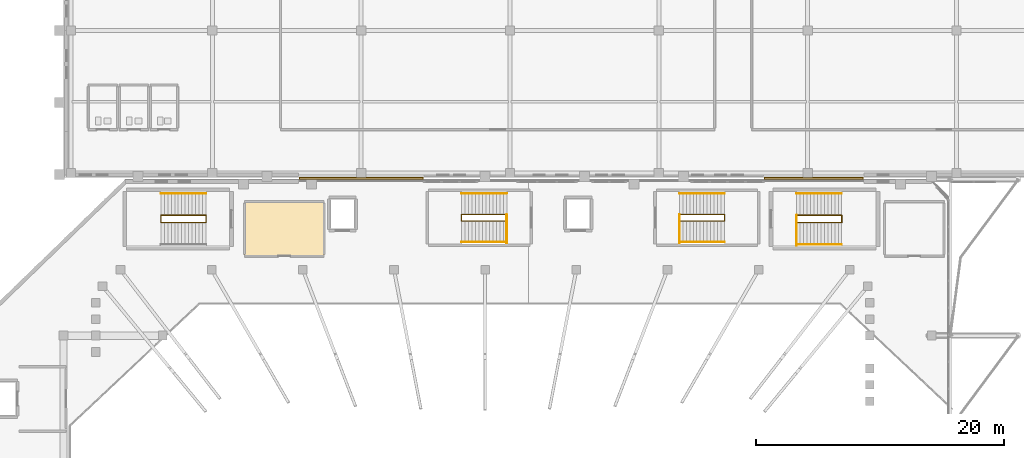
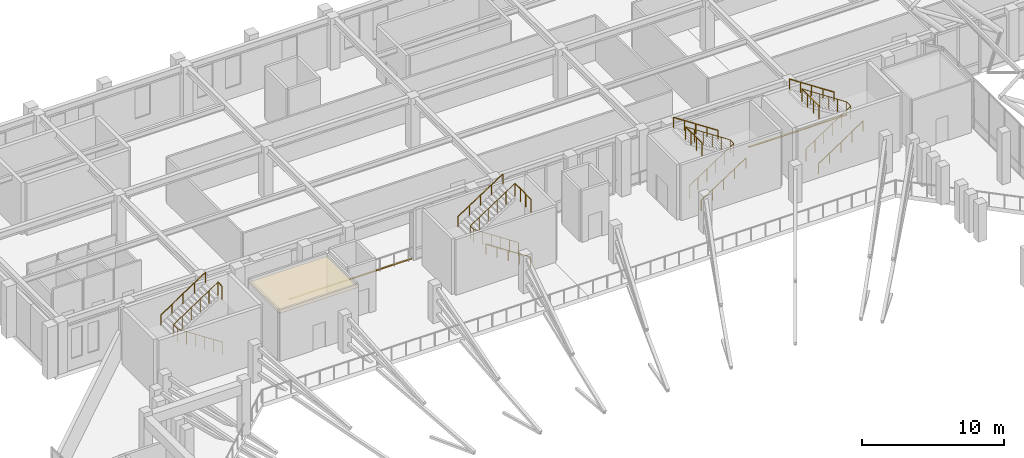
# One storey, part 77 of 79: 15 railings, 3 coverings.
"""IFC4 building model written with IfcOpenShell, lengths in metres."""

from ifc_helpers import new_model, si_unit, derived_unit, direction, frame, origin, origin_2d, place, context, subcontext, project, spatial, polyline, circle, outline, extrude, material, layer, layer_set, type_object, element, save


model = new_model("IFC4")

# Units and contexts
model_context = context("Model", 3, precision=1e-05, world=origin(), true_north=direction((0.0, 1.0)))
body_context = subcontext(model_context, "Body", "Model", "MODEL_VIEW")
ifc_project = project(units=[si_unit("LENGTHUNIT", "METRE"), si_unit("AREAUNIT", "SQUARE_METRE"), si_unit("VOLUMEUNIT", "CUBIC_METRE"), si_unit("PLANEANGLEUNIT", "RADIAN"), si_unit("MASSUNIT", "GRAM", prefix="KILO"), derived_unit("THERMALTRANSMITTANCEUNIT", [(si_unit("MASSUNIT", "GRAM", prefix="KILO"), 1), (si_unit("TIMEUNIT", "SECOND"), -3), (si_unit("THERMODYNAMICTEMPERATUREUNIT", "KELVIN"), -1)])], contexts=[model_context])

# Site, building, storey
site_placement = place(None, origin())
site = spatial("IfcSite", under=ifc_project, at=site_placement, CompositionType="ELEMENT")
building_placement = place(site_placement, origin())
building = spatial("IfcBuilding", under=site, at=building_placement, Name="Valcora Ridge Arena", CompositionType="ELEMENT")
storey_placement = place(building_placement, frame((0.0, 0.0, 16.199951171875)))
storey = spatial("IfcBuildingStorey", under=building, at=storey_placement, Name="L03", CompositionType="ELEMENT", Elevation=16.199951171875)

# Coverings
ifc_material_1 = material(Name="Perforated mineral-wool acoustic ceiling baffle tile")
ifc_layer_1 = layer(ifc_material_1, 0.0400390625, Name="Perforated mineral-wool acoustic ceiling baffle tile")
ifc_layer_set_1 = layer_set([ifc_layer_1], Name="Perforated mineral-wool acoustic ceiling baffle tile")
covering_type_1 = type_object("IfcCoveringType", Name="TY-COVERING-CLG-ACOUSTIC-600", PredefinedType="CEILING", material=ifc_layer_set_1)
covering_1_placement = place(storey_placement, frame((0.0, 0.0, 4.090087890625)))
element("IfcCovering", 1, at=covering_1_placement, inside=storey, type_object=covering_type_1, Name="CLG-ACOUSTIC-600 COV-CL-0002", PredefinedType="CEILING", context=body_context, shape_type="SweptSolid", body=[
    extrude(outline(polyline([(38.60009765625, 102.0), (45.0, 102.0), (45.0, 106.39990234375), (38.60009765625, 106.39990234375), (38.60009765625, 102.0)])), origin(), (0.0, 0.0, 1.0), 0.0400390625),
])
ifc_material_2 = material(Name="Steel ASTM A572 Grade 50", Category="steel")
ifc_layer_2 = layer(ifc_material_2, 0.02001953125, Name="Steel ASTM A572 Grade 50")
ifc_layer_set_2 = layer_set([ifc_layer_2], Name="Steel ASTM A572 Grade 50")
covering_type_2 = type_object("IfcCoveringType", Name="TY-COVERING-COV-SJ-150", PredefinedType="FLOORING", material=ifc_layer_set_2)
covering_2_placement = place(storey_placement, frame((0.0, 0.0, -0.02001953125)))
element("IfcCovering", 2, at=covering_2_placement, inside=storey, type_object=covering_type_2, Name="COV-SJ-150 COV-SJ-0017", PredefinedType="FLOORING", context=body_context, shape_type="SweptSolid", body=[
    extrude(outline(polyline([(43.0, 108.199951171875), (53.0, 108.199951171875), (53.0, 108.35009765625), (43.0, 108.35009765625), (43.0, 108.199951171875)])), origin(), (0.0, 0.0, 1.0), 0.02001953125),
])
covering_3_placement = place(storey_placement, frame((0.0, 0.0, -0.02001953125)))
element("IfcCovering", 3, at=covering_3_placement, inside=storey, type_object=covering_type_2, Name="COV-SJ-150 COV-SJ-0022", PredefinedType="FLOORING", context=body_context, shape_type="SweptSolid", body=[
    extrude(outline(polyline([(80.5, 108.199951171875), (88.5, 108.199951171875), (88.5, 108.35009765625), (80.5, 108.35009765625), (80.5, 108.199951171875)])), origin(), (0.0, 0.0, 1.0), 0.02001953125),
])

# Railings
ifc_material_3 = material(Name="Galvanized painted steel ASTM A500 Grade B", Category="steel")
railing_type_1 = type_object("IfcRailingType", Name="TY-RAILING-GRD-STAIR-1120", PredefinedType="GUARDRAIL", material=ifc_material_3)
railing_1_placement = place(storey_placement, frame((35.489990234375, 104.699951171875, 0.0)))
element("IfcRailing", 4, at=railing_1_placement, inside=storey, type_object=railing_type_1, Name="GRD-STAIR-1120 RAL-SG-0031", PredefinedType="GUARDRAIL", context=body_context, shape_type="SweptSolid", body=[
    extrude(circle(Radius=0.02392578125, at=origin_2d()), frame((0.0, 0.0, 1.09619140625), z_axis=(-0.834839479206, 0.0, 0.550493454965), x_axis=(0.0, -1.0, 0.0)), (0.0, 0.0, 1.0), 4.360107421875),
    extrude(circle(Radius=0.02392578125, at=origin_2d()), frame((-3.639892578125, 0.0, 3.49609375), z_axis=(0.0, 1.0, 0.0), x_axis=(-1.0, 0.0, 0.0)), (0.0, 0.0, 1.0), 0.60009765625),
    extrude(circle(Radius=0.02392578125, at=origin_2d()), frame((-3.639892578125, 0.60009765625, 3.49609375), z_axis=(0.834865213223, 0.0, 0.550454426587), x_axis=(0.0, 1.0, 0.0)), (0.0, 0.0, 1.0), 4.35986328125),
    extrude(circle(Radius=0.02099609375, at=origin_2d()), origin(), (0.0, 0.0, 1.0), 1.072021484375),
    extrude(circle(Radius=0.02099609375, at=origin_2d()), frame((-0.72802734375, 0.0, 0.47998046875)), (0.0, 0.0, 1.0), 1.072021484375),
    extrude(circle(Radius=0.02099609375, at=origin_2d()), frame((-1.4560546875, 0.0, 0.9599609375)), (0.0, 0.0, 1.0), 1.072021484375),
    extrude(circle(Radius=0.02099609375, at=origin_2d()), frame((-2.183837890625, 0.0, 1.440185546875)), (0.0, 0.0, 1.0), 1.072021484375),
    extrude(circle(Radius=0.02099609375, at=origin_2d()), frame((-2.911865234375, 0.0, 1.920166015625)), (0.0, 0.0, 1.0), 1.072021484375),
    extrude(circle(Radius=0.02099609375, at=origin_2d()), frame((-3.639892578125, 0.0, 2.400146484375)), (0.0, 0.0, 1.0), 1.072021484375),
    extrude(circle(Radius=0.02099609375, at=origin_2d()), frame((-3.639892578125, 0.60009765625, 2.400146484375)), (0.0, 0.0, 1.0), 1.072021484375),
    extrude(circle(Radius=0.02099609375, at=origin_2d()), frame((-2.911865234375, 0.60009765625, 2.880126953125)), (0.0, 0.0, 1.0), 1.072021484375),
    extrude(circle(Radius=0.02099609375, at=origin_2d()), frame((-2.183837890625, 0.60009765625, 3.360107421875)), (0.0, 0.0, 1.0), 1.072021484375),
    extrude(circle(Radius=0.02099609375, at=origin_2d()), frame((-1.4560546875, 0.60009765625, 3.840087890625)), (0.0, 0.0, 1.0), 1.072021484375),
    extrude(circle(Radius=0.02099609375, at=origin_2d()), frame((-0.72802734375, 0.60009765625, 4.320068359375)), (0.0, 0.0, 1.0), 1.072021484375),
    extrude(circle(Radius=0.02099609375, at=origin_2d()), frame((0.0, 0.60009765625, 4.800048828125)), (0.0, 0.0, 1.0), 1.072021484375),
])
railing_2_placement = place(storey_placement, frame((35.489990234375, 104.699951171875, 4.800048828125)))
element("IfcRailing", 5, at=railing_2_placement, inside=storey, type_object=railing_type_1, Name="GRD-STAIR-1120 RAL-SG-0032", PredefinedType="GUARDRAIL", context=body_context, shape_type="SweptSolid", body=[
    extrude(circle(Radius=0.02392578125, at=origin_2d()), frame((0.0, 0.0, 1.09619140625), z_axis=(0.0, 1.0, 0.0), x_axis=(-1.0, 0.0, 0.0)), (0.0, 0.0, 1.0), 0.60009765625),
    extrude(circle(Radius=0.02099609375, at=origin_2d()), origin(), (0.0, 0.0, 1.0), 1.072021484375),
    extrude(circle(Radius=0.02099609375, at=origin_2d()), frame((0.0, 0.60009765625, 0.0)), (0.0, 0.0, 1.0), 1.072021484375),
])
railing_3_placement = place(storey_placement, frame((83.110107421875, 104.699951171875, 0.0)))
element("IfcRailing", 6, at=railing_3_placement, inside=storey, type_object=railing_type_1, Name="GRD-STAIR-1120 RAL-SG-0043", PredefinedType="GUARDRAIL", context=body_context, shape_type="SweptSolid", body=[
    extrude(circle(Radius=0.02392578125, at=origin_2d()), frame((0.0, 0.0, 1.09619140625), z_axis=(0.834839479206, 0.0, 0.550493454965), x_axis=(0.0, 1.0, 0.0)), (0.0, 0.0, 1.0), 4.360107421875),
    extrude(circle(Radius=0.02392578125, at=origin_2d()), frame((3.639892578125, 0.0, 3.49609375), z_axis=(0.0, 1.0, 0.0), x_axis=(-1.0, 0.0, 0.0)), (0.0, 0.0, 1.0), 0.60009765625),
    extrude(circle(Radius=0.02392578125, at=origin_2d()), frame((3.639892578125, 0.60009765625, 3.49609375), z_axis=(-0.834865213223, 0.0, 0.550454426587), x_axis=(0.0, -1.0, 0.0)), (0.0, 0.0, 1.0), 4.35986328125),
    extrude(circle(Radius=0.02099609375, at=origin_2d()), origin(), (0.0, 0.0, 1.0), 1.072021484375),
    extrude(circle(Radius=0.02099609375, at=origin_2d()), frame((0.72802734375, 0.0, 0.47998046875)), (0.0, 0.0, 1.0), 1.072021484375),
    extrude(circle(Radius=0.02099609375, at=origin_2d()), frame((1.4560546875, 0.0, 0.9599609375)), (0.0, 0.0, 1.0), 1.072021484375),
    extrude(circle(Radius=0.02099609375, at=origin_2d()), frame((2.183837890625, 0.0, 1.440185546875)), (0.0, 0.0, 1.0), 1.072021484375),
    extrude(circle(Radius=0.02099609375, at=origin_2d()), frame((2.911865234375, 0.0, 1.920166015625)), (0.0, 0.0, 1.0), 1.072021484375),
    extrude(circle(Radius=0.02099609375, at=origin_2d()), frame((3.639892578125, 0.0, 2.400146484375)), (0.0, 0.0, 1.0), 1.072021484375),
    extrude(circle(Radius=0.02099609375, at=origin_2d()), frame((3.639892578125, 0.60009765625, 2.400146484375)), (0.0, 0.0, 1.0), 1.072021484375),
    extrude(circle(Radius=0.02099609375, at=origin_2d()), frame((2.911865234375, 0.60009765625, 2.880126953125)), (0.0, 0.0, 1.0), 1.072021484375),
    extrude(circle(Radius=0.02099609375, at=origin_2d()), frame((2.183837890625, 0.60009765625, 3.360107421875)), (0.0, 0.0, 1.0), 1.072021484375),
    extrude(circle(Radius=0.02099609375, at=origin_2d()), frame((1.4560546875, 0.60009765625, 3.840087890625)), (0.0, 0.0, 1.0), 1.072021484375),
    extrude(circle(Radius=0.02099609375, at=origin_2d()), frame((0.72802734375, 0.60009765625, 4.320068359375)), (0.0, 0.0, 1.0), 1.072021484375),
    extrude(circle(Radius=0.02099609375, at=origin_2d()), frame((0.0, 0.60009765625, 4.800048828125)), (0.0, 0.0, 1.0), 1.072021484375),
])
railing_4_placement = place(storey_placement, frame((83.110107421875, 102.85009765625, 4.800048828125)))
element("IfcRailing", 7, at=railing_4_placement, inside=storey, type_object=railing_type_1, Name="GRD-STAIR-1120 RAL-SG-0044", PredefinedType="GUARDRAIL", context=body_context, shape_type="SweptSolid", body=[
    extrude(circle(Radius=0.02392578125, at=origin_2d()), frame((0.0, 0.0, 1.09619140625), z_axis=(0.0, 1.0, 0.0), x_axis=(-1.0, 0.0, 0.0)), (0.0, 0.0, 1.0), 2.449951171875),
    extrude(circle(Radius=0.02099609375, at=origin_2d()), origin(), (0.0, 0.0, 1.0), 1.072021484375),
    extrude(circle(Radius=0.02099609375, at=origin_2d()), frame((0.0, 0.816650390625, 0.0)), (0.0, 0.0, 1.0), 1.072021484375),
    extrude(circle(Radius=0.02099609375, at=origin_2d()), frame((0.0, 1.63330078125, 0.0)), (0.0, 0.0, 1.0), 1.072021484375),
    extrude(circle(Radius=0.02099609375, at=origin_2d()), frame((0.0, 2.449951171875, 0.0)), (0.0, 0.0, 1.0), 1.072021484375),
])
railing_5_placement = place(storey_placement, frame((59.739990234375, 104.85009765625, 0.0)))
element("IfcRailing", 8, at=railing_5_placement, inside=storey, type_object=railing_type_1, Name="GRD-STAIR-1120 RAL-SG-0119", PredefinedType="GUARDRAIL", context=body_context, shape_type="SweptSolid", body=[
    extrude(circle(Radius=0.02392578125, at=origin_2d()), frame((0.0, 0.0, 1.09619140625), z_axis=(-0.834839479206, 0.0, 0.550493454965), x_axis=(0.0, -1.0, 0.0)), (0.0, 0.0, 1.0), 4.360107421875),
    extrude(circle(Radius=0.02392578125, at=origin_2d()), frame((-3.639892578125, 0.0, 3.49609375), z_axis=(0.0, 1.0, 0.0), x_axis=(-1.0, 0.0, 0.0)), (0.0, 0.0, 1.0), 0.5),
    extrude(circle(Radius=0.02392578125, at=origin_2d()), frame((-3.639892578125, 0.5, 3.49609375), z_axis=(0.834865213223, 0.0, 0.550454426587), x_axis=(0.0, 1.0, 0.0)), (0.0, 0.0, 1.0), 4.35986328125),
    extrude(circle(Radius=0.02099609375, at=origin_2d()), origin(), (0.0, 0.0, 1.0), 1.072021484375),
    extrude(circle(Radius=0.02099609375, at=origin_2d()), frame((-0.72802734375, 0.0, 0.47998046875)), (0.0, 0.0, 1.0), 1.072021484375),
    extrude(circle(Radius=0.02099609375, at=origin_2d()), frame((-1.4560546875, 0.0, 0.9599609375)), (0.0, 0.0, 1.0), 1.072021484375),
    extrude(circle(Radius=0.02099609375, at=origin_2d()), frame((-2.183837890625, 0.0, 1.440185546875)), (0.0, 0.0, 1.0), 1.072021484375),
    extrude(circle(Radius=0.02099609375, at=origin_2d()), frame((-2.911865234375, 0.0, 1.920166015625)), (0.0, 0.0, 1.0), 1.072021484375),
    extrude(circle(Radius=0.02099609375, at=origin_2d()), frame((-3.639892578125, 0.0, 2.400146484375)), (0.0, 0.0, 1.0), 1.072021484375),
    extrude(circle(Radius=0.02099609375, at=origin_2d()), frame((-3.639892578125, 0.5, 2.400146484375)), (0.0, 0.0, 1.0), 1.072021484375),
    extrude(circle(Radius=0.02099609375, at=origin_2d()), frame((-2.911865234375, 0.5, 2.880126953125)), (0.0, 0.0, 1.0), 1.072021484375),
    extrude(circle(Radius=0.02099609375, at=origin_2d()), frame((-2.183837890625, 0.5, 3.360107421875)), (0.0, 0.0, 1.0), 1.072021484375),
    extrude(circle(Radius=0.02099609375, at=origin_2d()), frame((-1.4560546875, 0.5, 3.840087890625)), (0.0, 0.0, 1.0), 1.072021484375),
    extrude(circle(Radius=0.02099609375, at=origin_2d()), frame((-0.72802734375, 0.5, 4.320068359375)), (0.0, 0.0, 1.0), 1.072021484375),
    extrude(circle(Radius=0.02099609375, at=origin_2d()), frame((0.0, 0.5, 4.800048828125)), (0.0, 0.0, 1.0), 1.072021484375),
])
railing_6_placement = place(storey_placement, frame((59.739990234375, 103.050048828125, 4.800048828125)))
element("IfcRailing", 9, at=railing_6_placement, inside=storey, type_object=railing_type_1, Name="GRD-STAIR-1120 RAL-SG-0120", PredefinedType="GUARDRAIL", context=body_context, shape_type="SweptSolid", body=[
    extrude(circle(Radius=0.02392578125, at=origin_2d()), frame((0.0, 0.0, 1.09619140625), z_axis=(0.0, 1.0, 0.0), x_axis=(-1.0, 0.0, 0.0)), (0.0, 0.0, 1.0), 2.300048828125),
    extrude(circle(Radius=0.02099609375, at=origin_2d()), origin(), (0.0, 0.0, 1.0), 1.072021484375),
    extrude(circle(Radius=0.02099609375, at=origin_2d()), frame((0.0, 0.7666015625, 0.0)), (0.0, 0.0, 1.0), 1.072021484375),
    extrude(circle(Radius=0.02099609375, at=origin_2d()), frame((0.0, 1.533447265625, 0.0)), (0.0, 0.0, 1.0), 1.072021484375),
    extrude(circle(Radius=0.02099609375, at=origin_2d()), frame((0.0, 2.300048828125, 0.0)), (0.0, 0.0, 1.0), 1.072021484375),
])
railing_7_placement = place(storey_placement, frame((73.659912109375, 104.85009765625, 0.0)))
element("IfcRailing", 10, at=railing_7_placement, inside=storey, type_object=railing_type_1, Name="GRD-STAIR-1120 RAL-SG-0127", PredefinedType="GUARDRAIL", context=body_context, shape_type="SweptSolid", body=[
    extrude(circle(Radius=0.02392578125, at=origin_2d()), frame((0.0, 0.0, 1.09619140625), z_axis=(0.834856447115, 0.0, 0.55046772177), x_axis=(0.0, 1.0, 0.0)), (0.0, 0.0, 1.0), 4.360107421875),
    extrude(circle(Radius=0.02392578125, at=origin_2d()), frame((3.64013671875, 0.0, 3.49609375), z_axis=(0.0, 1.0, 0.0), x_axis=(-1.0, 0.0, 0.0)), (0.0, 0.0, 1.0), 0.5),
    extrude(circle(Radius=0.02392578125, at=origin_2d()), frame((3.64013671875, 0.5, 3.49609375), z_axis=(-0.83488217925, 0.0, 0.55042869363), x_axis=(0.0, -1.0, 0.0)), (0.0, 0.0, 1.0), 4.360107421875),
    extrude(circle(Radius=0.02099609375, at=origin_2d()), origin(), (0.0, 0.0, 1.0), 1.072021484375),
    extrude(circle(Radius=0.02099609375, at=origin_2d()), frame((0.72802734375, 0.0, 0.47998046875)), (0.0, 0.0, 1.0), 1.072021484375),
    extrude(circle(Radius=0.02099609375, at=origin_2d()), frame((1.4560546875, 0.0, 0.9599609375)), (0.0, 0.0, 1.0), 1.072021484375),
    extrude(circle(Radius=0.02099609375, at=origin_2d()), frame((2.18408203125, 0.0, 1.440185546875)), (0.0, 0.0, 1.0), 1.072021484375),
    extrude(circle(Radius=0.02099609375, at=origin_2d()), frame((2.912109375, 0.0, 1.920166015625)), (0.0, 0.0, 1.0), 1.072021484375),
    extrude(circle(Radius=0.02099609375, at=origin_2d()), frame((3.64013671875, 0.0, 2.400146484375)), (0.0, 0.0, 1.0), 1.072021484375),
    extrude(circle(Radius=0.02099609375, at=origin_2d()), frame((3.64013671875, 0.5, 2.400146484375)), (0.0, 0.0, 1.0), 1.072021484375),
    extrude(circle(Radius=0.02099609375, at=origin_2d()), frame((2.912109375, 0.5, 2.880126953125)), (0.0, 0.0, 1.0), 1.072021484375),
    extrude(circle(Radius=0.02099609375, at=origin_2d()), frame((2.18408203125, 0.5, 3.360107421875)), (0.0, 0.0, 1.0), 1.072021484375),
    extrude(circle(Radius=0.02099609375, at=origin_2d()), frame((1.4560546875, 0.5, 3.840087890625)), (0.0, 0.0, 1.0), 1.072021484375),
    extrude(circle(Radius=0.02099609375, at=origin_2d()), frame((0.72802734375, 0.5, 4.320068359375)), (0.0, 0.0, 1.0), 1.072021484375),
    extrude(circle(Radius=0.02099609375, at=origin_2d()), frame((0.0, 0.5, 4.800048828125)), (0.0, 0.0, 1.0), 1.072021484375),
])
railing_8_placement = place(storey_placement, frame((73.659912109375, 103.050048828125, 4.800048828125)))
element("IfcRailing", 11, at=railing_8_placement, inside=storey, type_object=railing_type_1, Name="GRD-STAIR-1120 RAL-SG-0128", PredefinedType="GUARDRAIL", context=body_context, shape_type="SweptSolid", body=[
    extrude(circle(Radius=0.02392578125, at=origin_2d()), frame((0.0, 0.0, 1.09619140625), z_axis=(0.0, 1.0, 0.0), x_axis=(-1.0, 0.0, 0.0)), (0.0, 0.0, 1.0), 2.300048828125),
    extrude(circle(Radius=0.02099609375, at=origin_2d()), origin(), (0.0, 0.0, 1.0), 1.072021484375),
    extrude(circle(Radius=0.02099609375, at=origin_2d()), frame((0.0, 0.7666015625, 0.0)), (0.0, 0.0, 1.0), 1.072021484375),
    extrude(circle(Radius=0.02099609375, at=origin_2d()), frame((0.0, 1.533447265625, 0.0)), (0.0, 0.0, 1.0), 1.072021484375),
    extrude(circle(Radius=0.02099609375, at=origin_2d()), frame((0.0, 2.300048828125, 0.0)), (0.0, 0.0, 1.0), 1.072021484375),
])
railing_type_2 = type_object("IfcRailingType", Name="TY-RAILING-HR-STAIR-900", PredefinedType="HANDRAIL", material=ifc_material_3)
railing_9_placement = place(storey_placement, frame((31.85009765625, 107.06005859375, 2.400146484375)))
element("IfcRailing", 12, at=railing_9_placement, inside=storey, type_object=railing_type_2, Name="HR-STAIR-900 RAL-SH-0032", PredefinedType="HANDRAIL", context=body_context, shape_type="SweptSolid", body=[
    extrude(circle(Radius=0.02392578125, at=origin_2d()), frame((0.0, 0.0, 0.8759765625), z_axis=(0.834865213223, 0.0, 0.550454426587), x_axis=(0.0, 1.0, 0.0)), (0.0, 0.0, 1.0), 4.35986328125),
    extrude(circle(Radius=0.02099609375, at=origin_2d()), origin(), (0.0, 0.0, 1.0), 0.851806640625),
    extrude(circle(Radius=0.02099609375, at=origin_2d()), frame((0.909912109375, 0.0, 0.60009765625)), (0.0, 0.0, 1.0), 0.851806640625),
    extrude(circle(Radius=0.02099609375, at=origin_2d()), frame((1.81982421875, 0.0, 1.199951171875)), (0.0, 0.0, 1.0), 0.851806640625),
    extrude(circle(Radius=0.02099609375, at=origin_2d()), frame((2.72998046875, 0.0, 1.7998046875)), (0.0, 0.0, 1.0), 0.851806640625),
    extrude(circle(Radius=0.02099609375, at=origin_2d()), frame((3.639892578125, 0.0, 2.39990234375)), (0.0, 0.0, 1.0), 0.851806640625),
])
railing_10_placement = place(storey_placement, frame((83.110107421875, 102.93994140625, 0.0)))
element("IfcRailing", 13, at=railing_10_placement, inside=storey, type_object=railing_type_2, Name="HR-STAIR-900 RAL-SH-0043", PredefinedType="HANDRAIL", context=body_context, shape_type="SweptSolid", body=[
    extrude(circle(Radius=0.02392578125, at=origin_2d()), frame((0.0, 0.0, 0.8759765625), z_axis=(0.834839479206, 0.0, 0.550493454965), x_axis=(0.0, 1.0, 0.0)), (0.0, 0.0, 1.0), 4.360107421875),
    extrude(circle(Radius=0.02099609375, at=origin_2d()), origin(), (0.0, 0.0, 1.0), 0.851806640625),
    extrude(circle(Radius=0.02099609375, at=origin_2d()), frame((0.909912109375, 0.0, 0.60009765625)), (0.0, 0.0, 1.0), 0.851806640625),
    extrude(circle(Radius=0.02099609375, at=origin_2d()), frame((1.81982421875, 0.0, 1.2001953125)), (0.0, 0.0, 1.0), 0.851806640625),
    extrude(circle(Radius=0.02099609375, at=origin_2d()), frame((2.72998046875, 0.0, 1.800048828125)), (0.0, 0.0, 1.0), 0.851806640625),
    extrude(circle(Radius=0.02099609375, at=origin_2d()), frame((3.639892578125, 0.0, 2.400146484375)), (0.0, 0.0, 1.0), 0.851806640625),
])
railing_11_placement = place(storey_placement, frame((86.75, 107.06005859375, 2.400146484375)))
element("IfcRailing", 14, at=railing_11_placement, inside=storey, type_object=railing_type_2, Name="HR-STAIR-900 RAL-SH-0044", PredefinedType="HANDRAIL", context=body_context, shape_type="SweptSolid", body=[
    extrude(circle(Radius=0.02392578125, at=origin_2d()), frame((0.0, 0.0, 0.8759765625), z_axis=(-0.834865213223, 0.0, 0.550454426587), x_axis=(0.0, -1.0, 0.0)), (0.0, 0.0, 1.0), 4.35986328125),
    extrude(circle(Radius=0.02099609375, at=origin_2d()), origin(), (0.0, 0.0, 1.0), 0.851806640625),
    extrude(circle(Radius=0.02099609375, at=origin_2d()), frame((-0.909912109375, 0.0, 0.60009765625)), (0.0, 0.0, 1.0), 0.851806640625),
    extrude(circle(Radius=0.02099609375, at=origin_2d()), frame((-1.81982421875, 0.0, 1.199951171875)), (0.0, 0.0, 1.0), 0.851806640625),
    extrude(circle(Radius=0.02099609375, at=origin_2d()), frame((-2.72998046875, 0.0, 1.7998046875)), (0.0, 0.0, 1.0), 0.851806640625),
    extrude(circle(Radius=0.02099609375, at=origin_2d()), frame((-3.639892578125, 0.0, 2.39990234375)), (0.0, 0.0, 1.0), 0.851806640625),
])
railing_12_placement = place(storey_placement, frame((59.739990234375, 103.139892578125, 0.0)))
element("IfcRailing", 15, at=railing_12_placement, inside=storey, type_object=railing_type_2, Name="HR-STAIR-900 RAL-SH-0119", PredefinedType="HANDRAIL", context=body_context, shape_type="SweptSolid", body=[
    extrude(circle(Radius=0.02392578125, at=origin_2d()), frame((0.0, 0.0, 0.8759765625), z_axis=(-0.834839479206, 0.0, 0.550493454965), x_axis=(0.0, -1.0, 0.0)), (0.0, 0.0, 1.0), 4.360107421875),
    extrude(circle(Radius=0.02099609375, at=origin_2d()), origin(), (0.0, 0.0, 1.0), 0.851806640625),
    extrude(circle(Radius=0.02099609375, at=origin_2d()), frame((-0.909912109375, 0.0, 0.60009765625)), (0.0, 0.0, 1.0), 0.851806640625),
    extrude(circle(Radius=0.02099609375, at=origin_2d()), frame((-1.81982421875, 0.0, 1.2001953125)), (0.0, 0.0, 1.0), 0.851806640625),
    extrude(circle(Radius=0.02099609375, at=origin_2d()), frame((-2.72998046875, 0.0, 1.800048828125)), (0.0, 0.0, 1.0), 0.851806640625),
    extrude(circle(Radius=0.02099609375, at=origin_2d()), frame((-3.639892578125, 0.0, 2.400146484375)), (0.0, 0.0, 1.0), 0.851806640625),
])
railing_13_placement = place(storey_placement, frame((56.10009765625, 107.06005859375, 2.400146484375)))
element("IfcRailing", 16, at=railing_13_placement, inside=storey, type_object=railing_type_2, Name="HR-STAIR-900 RAL-SH-0120", PredefinedType="HANDRAIL", context=body_context, shape_type="SweptSolid", body=[
    extrude(circle(Radius=0.02392578125, at=origin_2d()), frame((0.0, 0.0, 0.8759765625), z_axis=(0.834865213223, 0.0, 0.550454426587), x_axis=(0.0, 1.0, 0.0)), (0.0, 0.0, 1.0), 4.35986328125),
    extrude(circle(Radius=0.02099609375, at=origin_2d()), origin(), (0.0, 0.0, 1.0), 0.851806640625),
    extrude(circle(Radius=0.02099609375, at=origin_2d()), frame((0.909912109375, 0.0, 0.60009765625)), (0.0, 0.0, 1.0), 0.851806640625),
    extrude(circle(Radius=0.02099609375, at=origin_2d()), frame((1.81982421875, 0.0, 1.199951171875)), (0.0, 0.0, 1.0), 0.851806640625),
    extrude(circle(Radius=0.02099609375, at=origin_2d()), frame((2.72998046875, 0.0, 1.7998046875)), (0.0, 0.0, 1.0), 0.851806640625),
    extrude(circle(Radius=0.02099609375, at=origin_2d()), frame((3.639892578125, 0.0, 2.39990234375)), (0.0, 0.0, 1.0), 0.851806640625),
])
railing_14_placement = place(storey_placement, frame((73.659912109375, 103.139892578125, 0.0)))
element("IfcRailing", 17, at=railing_14_placement, inside=storey, type_object=railing_type_2, Name="HR-STAIR-900 RAL-SH-0127", PredefinedType="HANDRAIL", context=body_context, shape_type="SweptSolid", body=[
    extrude(circle(Radius=0.02392578125, at=origin_2d()), frame((0.0, 0.0, 0.8759765625), z_axis=(0.834856447115, 0.0, 0.55046772177), x_axis=(0.0, 1.0, 0.0)), (0.0, 0.0, 1.0), 4.360107421875),
    extrude(circle(Radius=0.02099609375, at=origin_2d()), origin(), (0.0, 0.0, 1.0), 0.851806640625),
    extrude(circle(Radius=0.02099609375, at=origin_2d()), frame((0.91015625, 0.0, 0.60009765625)), (0.0, 0.0, 1.0), 0.851806640625),
    extrude(circle(Radius=0.02099609375, at=origin_2d()), frame((1.820068359375, 0.0, 1.2001953125)), (0.0, 0.0, 1.0), 0.851806640625),
    extrude(circle(Radius=0.02099609375, at=origin_2d()), frame((2.72998046875, 0.0, 1.800048828125)), (0.0, 0.0, 1.0), 0.851806640625),
    extrude(circle(Radius=0.02099609375, at=origin_2d()), frame((3.64013671875, 0.0, 2.400146484375)), (0.0, 0.0, 1.0), 0.851806640625),
])
railing_15_placement = place(storey_placement, frame((77.300048828125, 107.06005859375, 2.400146484375)))
element("IfcRailing", 18, at=railing_15_placement, inside=storey, type_object=railing_type_2, Name="HR-STAIR-900 RAL-SH-0128", PredefinedType="HANDRAIL", context=body_context, shape_type="SweptSolid", body=[
    extrude(circle(Radius=0.02392578125, at=origin_2d()), frame((0.0, 0.0, 0.8759765625), z_axis=(-0.83488217925, 0.0, 0.55042869363), x_axis=(0.0, -1.0, 0.0)), (0.0, 0.0, 1.0), 4.360107421875),
    extrude(circle(Radius=0.02099609375, at=origin_2d()), origin(), (0.0, 0.0, 1.0), 0.851806640625),
    extrude(circle(Radius=0.02099609375, at=origin_2d()), frame((-0.91015625, 0.0, 0.60009765625)), (0.0, 0.0, 1.0), 0.851806640625),
    extrude(circle(Radius=0.02099609375, at=origin_2d()), frame((-1.820068359375, 0.0, 1.199951171875)), (0.0, 0.0, 1.0), 0.851806640625),
    extrude(circle(Radius=0.02099609375, at=origin_2d()), frame((-2.72998046875, 0.0, 1.7998046875)), (0.0, 0.0, 1.0), 0.851806640625),
    extrude(circle(Radius=0.02099609375, at=origin_2d()), frame((-3.64013671875, 0.0, 2.39990234375)), (0.0, 0.0, 1.0), 0.851806640625),
])

save(model, "model.ifc")
